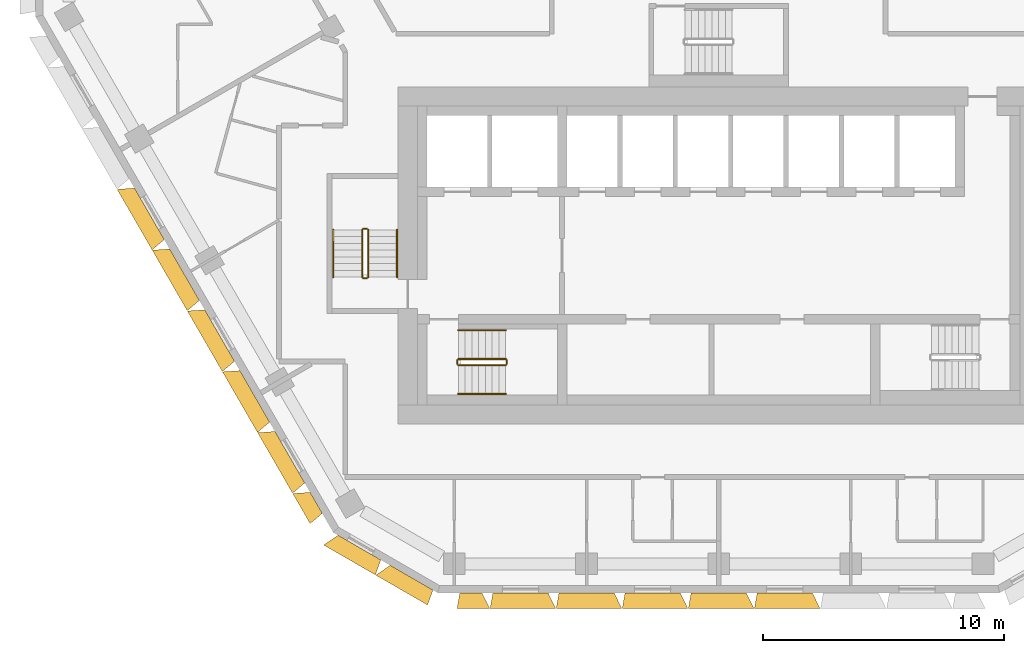
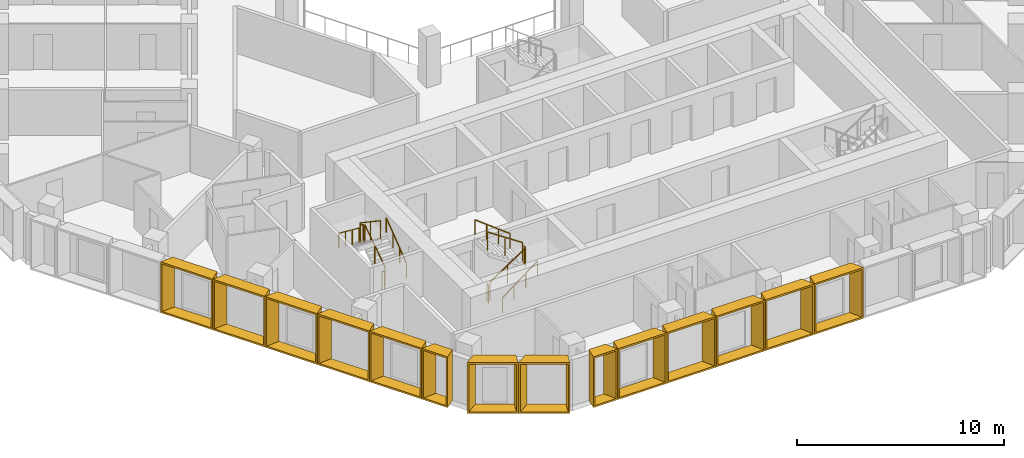
# One storey, part 12 of 15: 14 shading devices, 12 railings.
"""IFC4 building model written with IfcOpenShell, lengths in metres."""

from ifc_helpers import new_model, entity, si_unit, direction, frame, origin, origin_2d, place, context, subcontext, project, spatial, rectangle, extrude, source, transform, mapped, material, type_object, type_shapes, element, save


model = new_model("IFC4")

# Units and contexts
model_context = context("Model", 3, precision=1e-05, world=origin(), true_north=direction((0.0, 1.0)))
body_context = subcontext(model_context, "Body", "Model", "MODEL_VIEW")
ifc_project = project(units=[si_unit("LENGTHUNIT", "METRE"), si_unit("AREAUNIT", "SQUARE_METRE"), si_unit("VOLUMEUNIT", "CUBIC_METRE"), si_unit("PLANEANGLEUNIT", "RADIAN"), si_unit("MASSUNIT", "GRAM", prefix="KILO")], contexts=[model_context])

# Site, building, storey
site_placement = place(None, origin())
site = spatial("IfcSite", under=ifc_project, at=site_placement, CompositionType="ELEMENT")
building_placement = place(site_placement, origin())
building = spatial("IfcBuilding", under=site, at=building_placement, Name="Beryl Residences", CompositionType="ELEMENT")
storey_placement = place(building_placement, frame((0.0, 0.0, 117.60009765625)))
storey = spatial("IfcBuildingStorey", under=building, at=storey_placement, Name="L35", CompositionType="ELEMENT", Elevation=117.60009765625)

# Shading devices
ifc_material_1 = material(Name="Aluminium pale anodised", Category="aluminium")
shading_device_type_1 = type_object("IfcShadingDeviceType", Name="FR137-65C OUTER SKIN frame 650 mm deep, splay 10/26 deg, 1370 x 3000 mm cell", PredefinedType="USERDEFINED", material=ifc_material_1)
cartesian_point_1 = entity("IfcCartesianPoint", [-0.458984375, 0.0])
cartesian_point_2 = entity("IfcCartesianPoint", [-0.377685546875, 0.10009765625])
cartesian_point_3 = entity("IfcCartesianPoint", [-0.57373046875, 0.0])
cartesian_point_4 = entity("IfcCartesianPoint", [-0.492431640625, 0.10009765625])
shared_shape_1 = source(origin(), body_context, "Body", "SweptSolid", [
    entity("IfcExtrudedAreaSolidTapered", entity("IfcArbitraryProfileDefWithVoids", "AREA", None, entity("IfcPolyline", [cartesian_point_1, entity("IfcCartesianPoint", [0.458984375, 0.0]), entity("IfcCartesianPoint", [0.458984375, 3.0]), entity("IfcCartesianPoint", [-0.458984375, 3.0]), cartesian_point_1]), [entity("IfcPolyline", [cartesian_point_2, entity("IfcCartesianPoint", [0.369873046875, 0.10009765625]), entity("IfcCartesianPoint", [0.369873046875, 2.89990234375]), entity("IfcCartesianPoint", [-0.377685546875, 2.89990234375]), cartesian_point_2])]), entity("IfcAxis2Placement3D", entity("IfcCartesianPoint", [0.0, 0.0, 0.0]), entity("IfcDirection", [0.0, 1.0, 0.0]), entity("IfcDirection", [-1.0, 0.0, 0.0])), entity("IfcDirection", [0.0, 0.0, 1.0]), 0.64990234375, entity("IfcArbitraryProfileDefWithVoids", "AREA", None, entity("IfcPolyline", [cartesian_point_3, entity("IfcCartesianPoint", [0.776123046875, 0.0]), entity("IfcCartesianPoint", [0.776123046875, 3.0]), entity("IfcCartesianPoint", [-0.57373046875, 3.0]), cartesian_point_3]), [entity("IfcPolyline", [cartesian_point_4, entity("IfcCartesianPoint", [0.68701171875, 0.10009765625]), entity("IfcCartesianPoint", [0.68701171875, 2.89990234375]), entity("IfcCartesianPoint", [-0.492431640625, 2.89990234375]), cartesian_point_4])])),
])
type_shapes(shading_device_type_1, [shared_shape_1])
shading_device_1_placement = place(storey_placement, frame((-10.282958984375, -26.0, 0.0), z_axis=(0.0, 0.0, 1.0), x_axis=(-1.0, 0.0, 0.0)))
element("IfcShadingDevice", 1, at=shading_device_1_placement, inside=storey, type_object=shading_device_type_1, Name="FR137-65C frame L35 S 1", ObjectType="OUTER SKIN", PredefinedType="USERDEFINED", context=body_context, shape_type="MappedRepresentation", body=[
    mapped(shared_shape_1, transform((0.0, 0.0, 0.0))),
])
ifc_material_2 = material(Name="Aluminium pale anodised", Category="aluminium")
shading_device_type_2 = type_object("IfcShadingDeviceType", Name="FR146-65B OUTER SKIN frame 650 mm deep, splay 26/10 deg, 1460 x 3000 mm cell", PredefinedType="USERDEFINED", material=ifc_material_2)
cartesian_point_5 = entity("IfcCartesianPoint", [-0.50390625, 0.0])
cartesian_point_6 = entity("IfcCartesianPoint", [-0.4150390625, 0.10009765625])
cartesian_point_7 = entity("IfcCartesianPoint", [-0.821044921875, 0.0])
cartesian_point_8 = entity("IfcCartesianPoint", [-0.73193359375, 0.10009765625])
shared_shape_2 = source(origin(), body_context, "Body", "SweptSolid", [
    entity("IfcExtrudedAreaSolidTapered", entity("IfcArbitraryProfileDefWithVoids", "AREA", None, entity("IfcPolyline", [cartesian_point_5, entity("IfcCartesianPoint", [0.50390625, 0.0]), entity("IfcCartesianPoint", [0.50390625, 3.0]), entity("IfcCartesianPoint", [-0.50390625, 3.0]), cartesian_point_5]), [entity("IfcPolyline", [cartesian_point_6, entity("IfcCartesianPoint", [0.4228515625, 0.10009765625]), entity("IfcCartesianPoint", [0.4228515625, 2.89990234375]), entity("IfcCartesianPoint", [-0.4150390625, 2.89990234375]), cartesian_point_6])]), entity("IfcAxis2Placement3D", entity("IfcCartesianPoint", [0.0, 0.0, 0.0]), entity("IfcDirection", [0.0, 1.0, 0.0]), entity("IfcDirection", [-1.0, 0.0, 0.0])), entity("IfcDirection", [0.0, 0.0, 1.0]), 0.64990234375, entity("IfcArbitraryProfileDefWithVoids", "AREA", None, entity("IfcPolyline", [cartesian_point_7, entity("IfcCartesianPoint", [0.61865234375, 0.0]), entity("IfcCartesianPoint", [0.61865234375, 3.0]), entity("IfcCartesianPoint", [-0.821044921875, 3.0]), cartesian_point_7]), [entity("IfcPolyline", [cartesian_point_8, entity("IfcCartesianPoint", [0.537353515625, 0.10009765625]), entity("IfcCartesianPoint", [0.537353515625, 2.89990234375]), entity("IfcCartesianPoint", [-0.73193359375, 2.89990234375]), cartesian_point_8])])),
])
type_shapes(shading_device_type_2, [shared_shape_2])
shading_device_2_placement = place(storey_placement, frame((-16.7041015625, -22.26806640625, 0.0), z_axis=(0.0, 0.0, 1.0), x_axis=(-0.5, 0.866025403784, 0.0)))
element("IfcShadingDevice", 2, at=shading_device_2_placement, inside=storey, type_object=shading_device_type_2, Name="FR146-65B frame L35 SW 9", ObjectType="OUTER SKIN", PredefinedType="USERDEFINED", context=body_context, shape_type="MappedRepresentation", body=[
    mapped(shared_shape_2, transform((0.0, 0.0, 0.0))),
])
ifc_material_3 = material(Name="Aluminium pale anodised", Category="aluminium")
shading_device_type_3 = type_object("IfcShadingDeviceType", Name="FR250-65B OUTER SKIN frame 650 mm deep, splay 26/10 deg, 2500 x 3000 mm cell", PredefinedType="USERDEFINED", material=ifc_material_3)
cartesian_point_9 = entity("IfcCartesianPoint", [-1.02392578125, 0.0])
cartesian_point_10 = entity("IfcCartesianPoint", [-0.93505859375, 0.10009765625])
cartesian_point_11 = entity("IfcCartesianPoint", [-1.341064453125, 0.0])
cartesian_point_12 = entity("IfcCartesianPoint", [-1.251953125, 0.10009765625])
shared_shape_3 = source(origin(), body_context, "Body", "SweptSolid", [
    entity("IfcExtrudedAreaSolidTapered", entity("IfcArbitraryProfileDefWithVoids", "AREA", None, entity("IfcPolyline", [cartesian_point_9, entity("IfcCartesianPoint", [1.02392578125, 0.0]), entity("IfcCartesianPoint", [1.02392578125, 3.0]), entity("IfcCartesianPoint", [-1.02392578125, 3.0]), cartesian_point_9]), [entity("IfcPolyline", [cartesian_point_10, entity("IfcCartesianPoint", [0.94287109375, 0.10009765625]), entity("IfcCartesianPoint", [0.94287109375, 2.89990234375]), entity("IfcCartesianPoint", [-0.93505859375, 2.89990234375]), cartesian_point_10])]), entity("IfcAxis2Placement3D", entity("IfcCartesianPoint", [0.0, 0.0, 0.0]), entity("IfcDirection", [0.0, 1.0, 0.0]), entity("IfcDirection", [-1.0, 0.0, 0.0])), entity("IfcDirection", [0.0, 0.0, 1.0]), 0.64990234375, entity("IfcArbitraryProfileDefWithVoids", "AREA", None, entity("IfcPolyline", [cartesian_point_11, entity("IfcCartesianPoint", [1.138671875, 0.0]), entity("IfcCartesianPoint", [1.138671875, 3.0]), entity("IfcCartesianPoint", [-1.341064453125, 3.0]), cartesian_point_11]), [entity("IfcPolyline", [cartesian_point_12, entity("IfcCartesianPoint", [1.057373046875, 0.10009765625]), entity("IfcCartesianPoint", [1.057373046875, 2.89990234375]), entity("IfcCartesianPoint", [-1.251953125, 2.89990234375]), cartesian_point_12])])),
])
type_shapes(shading_device_type_3, [shared_shape_3])
for number, where, z_axis, x_axis, name in (
    (3, (-14.909912109375, -24.125, 0.0), (0.0, 0.0, 1.0), (-0.866025403784, 0.5, 0.0), "FR250-65B frame L35 SW-S 1"),
    (4, (-12.7451171875, -25.375, 0.0), (0.0, 0.0, 1.0), (-0.866025403784, 0.5, 0.0), "FR250-65B frame L35 SW-S 2"),
):
    element("IfcShadingDevice", number, at=place(storey_placement, frame(where, z_axis=z_axis, x_axis=x_axis)), inside=storey, type_object=shading_device_type_3, Name=name, ObjectType="OUTER SKIN", PredefinedType="USERDEFINED", context=body_context, shape_type="MappedRepresentation", body=[
        mapped(shared_shape_3, transform((0.0, 0.0, 0.0))),
    ])
ifc_material_4 = material(Name="Aluminium pale anodised", Category="aluminium")
shading_device_type_4 = type_object("IfcShadingDeviceType", Name="FR274-65C OUTER SKIN frame 650 mm deep, splay 10/26 deg, 2740 x 3000 mm cell", PredefinedType="USERDEFINED", material=ifc_material_4)
cartesian_point_13 = entity("IfcCartesianPoint", [-1.14404296875, 0.0])
cartesian_point_14 = entity("IfcCartesianPoint", [-1.062744140625, 0.10009765625])
cartesian_point_15 = entity("IfcCartesianPoint", [-1.258544921875, 0.0])
cartesian_point_16 = entity("IfcCartesianPoint", [-1.177490234375, 0.10009765625])
shared_shape_4 = source(origin(), body_context, "Body", "SweptSolid", [
    entity("IfcExtrudedAreaSolidTapered", entity("IfcArbitraryProfileDefWithVoids", "AREA", None, entity("IfcPolyline", [cartesian_point_13, entity("IfcCartesianPoint", [1.14404296875, 0.0]), entity("IfcCartesianPoint", [1.14404296875, 3.0]), entity("IfcCartesianPoint", [-1.14404296875, 3.0]), cartesian_point_13]), [entity("IfcPolyline", [cartesian_point_14, entity("IfcCartesianPoint", [1.054931640625, 0.10009765625]), entity("IfcCartesianPoint", [1.054931640625, 2.89990234375]), entity("IfcCartesianPoint", [-1.062744140625, 2.89990234375]), cartesian_point_14])]), entity("IfcAxis2Placement3D", entity("IfcCartesianPoint", [0.0, 0.0, 0.0]), entity("IfcDirection", [0.0, 1.0, 0.0]), entity("IfcDirection", [-1.0, 0.0, 0.0])), entity("IfcDirection", [0.0, 0.0, 1.0]), 0.64990234375, entity("IfcArbitraryProfileDefWithVoids", "AREA", None, entity("IfcPolyline", [cartesian_point_15, entity("IfcCartesianPoint", [1.4609375, 0.0]), entity("IfcCartesianPoint", [1.4609375, 3.0]), entity("IfcCartesianPoint", [-1.258544921875, 3.0]), cartesian_point_15]), [entity("IfcPolyline", [cartesian_point_16, entity("IfcCartesianPoint", [1.3720703125, 0.10009765625]), entity("IfcCartesianPoint", [1.3720703125, 2.89990234375]), entity("IfcCartesianPoint", [-1.177490234375, 2.89990234375]), cartesian_point_16])])),
])
type_shapes(shading_device_type_4, [shared_shape_4])
for number, where, z_axis, x_axis, name in (
    (5, (-8.22607421875, -26.0, 0.0), (0.0, 0.0, 1.0), (-1.0, 0.0, 0.0), "FR274-65C frame L35 S 2"),
    (6, (-5.48388671875, -26.0, 0.0), (0.0, 0.0, 1.0), (-1.0, 0.0, 0.0), "FR274-65C frame L35 S 3"),
    (7, (-2.741943359375, -26.0, 0.0), (0.0, 0.0, 1.0), (-1.0, 0.0, 0.0), "FR274-65C frame L35 S 4"),
    (8, (0.0009765625, -26.0, 0.0), (0.0, 0.0, 1.0), (-1.0, 0.0, 0.0), "FR274-65C frame L35 S 5"),
    (9, (2.743896484375, -26.0, 0.0), (0.0, 0.0, 1.0), (-1.0, 0.0, 0.0), "FR274-65C frame L35 S 6"),
):
    element("IfcShadingDevice", number, at=place(storey_placement, frame(where, z_axis=z_axis, x_axis=x_axis)), inside=storey, type_object=shading_device_type_4, Name=name, ObjectType="OUTER SKIN", PredefinedType="USERDEFINED", context=body_context, shape_type="MappedRepresentation", body=[
        mapped(shared_shape_4, transform((0.0, 0.0, 0.0))),
    ])
ifc_material_5 = material(Name="Aluminium pale anodised", Category="aluminium")
shading_device_type_5 = type_object("IfcShadingDeviceType", Name="FR292-65B OUTER SKIN frame 650 mm deep, splay 26/10 deg, 2920 x 3000 mm cell", PredefinedType="USERDEFINED", material=ifc_material_5)
cartesian_point_17 = entity("IfcCartesianPoint", [-1.23388671875, 0.0])
cartesian_point_18 = entity("IfcCartesianPoint", [-1.14501953125, 0.10009765625])
cartesian_point_19 = entity("IfcCartesianPoint", [-1.551025390625, 0.0])
cartesian_point_20 = entity("IfcCartesianPoint", [-1.4619140625, 0.10009765625])
shared_shape_5 = source(origin(), body_context, "Body", "SweptSolid", [
    entity("IfcExtrudedAreaSolidTapered", entity("IfcArbitraryProfileDefWithVoids", "AREA", None, entity("IfcPolyline", [cartesian_point_17, entity("IfcCartesianPoint", [1.23388671875, 0.0]), entity("IfcCartesianPoint", [1.23388671875, 3.0]), entity("IfcCartesianPoint", [-1.23388671875, 3.0]), cartesian_point_17]), [entity("IfcPolyline", [cartesian_point_18, entity("IfcCartesianPoint", [1.15283203125, 0.10009765625]), entity("IfcCartesianPoint", [1.15283203125, 2.89990234375]), entity("IfcCartesianPoint", [-1.14501953125, 2.89990234375]), cartesian_point_18])]), entity("IfcAxis2Placement3D", entity("IfcCartesianPoint", [0.0, 0.0, 0.0]), entity("IfcDirection", [0.0, 1.0, 0.0]), entity("IfcDirection", [-1.0, 0.0, 0.0])), entity("IfcDirection", [0.0, 0.0, 1.0]), 0.64990234375, entity("IfcArbitraryProfileDefWithVoids", "AREA", None, entity("IfcPolyline", [cartesian_point_19, entity("IfcCartesianPoint", [1.3486328125, 0.0]), entity("IfcCartesianPoint", [1.3486328125, 3.0]), entity("IfcCartesianPoint", [-1.551025390625, 3.0]), cartesian_point_19]), [entity("IfcPolyline", [cartesian_point_20, entity("IfcCartesianPoint", [1.267333984375, 0.10009765625]), entity("IfcCartesianPoint", [1.267333984375, 2.89990234375]), entity("IfcCartesianPoint", [-1.4619140625, 2.89990234375]), cartesian_point_20])])),
])
type_shapes(shading_device_type_5, [shared_shape_5])
for number, where, z_axis, x_axis, name in (
    (10, (-23.6279296875, -10.27392578125, 0.0), (0.0, 0.0, 1.0), (-0.5, 0.866025403784, 0.0), "FR292-65B frame L35 SW 4"),
    (11, (-22.169921875, -12.799072265625, 0.0), (0.0, 0.0, 1.0), (-0.5, 0.866025403784, 0.0), "FR292-65B frame L35 SW 5"),
    (12, (-20.712890625, -15.323974609375, 0.0), (0.0, 0.0, 1.0), (-0.5, 0.866025403784, 0.0), "FR292-65B frame L35 SW 6"),
    (13, (-19.2548828125, -17.84912109375, 0.0), (0.0, 0.0, 1.0), (-0.5, 0.866025403784, 0.0), "FR292-65B frame L35 SW 7"),
    (14, (-17.797119140625, -20.3740234375, 0.0), (0.0, 0.0, 1.0), (-0.5, 0.866025403784, 0.0), "FR292-65B frame L35 SW 8"),
):
    element("IfcShadingDevice", number, at=place(storey_placement, frame(where, z_axis=z_axis, x_axis=x_axis)), inside=storey, type_object=shading_device_type_5, Name=name, ObjectType="OUTER SKIN", PredefinedType="USERDEFINED", context=body_context, shape_type="MappedRepresentation", body=[
        mapped(shared_shape_5, transform((0.0, 0.0, 0.0))),
    ])

# Railings
ifc_material_6 = material(Name="Stainless steel balustrade with glass infill", Category="steel")
railing_type_1 = type_object("IfcRailingType", Name="SG1 stair guard 1100 mm", PredefinedType="GUARDRAIL", material=ifc_material_6)
railing_1_placement = place(storey_placement, frame((-10.800048828125, -16.550048828125, 0.1875)))
element("IfcRailing", 15, at=railing_1_placement, inside=storey, type_object=railing_type_1, Name="L35 ST-1 stair guard 1", PredefinedType="GUARDRAIL", context=body_context, shape_type="SweptSolid", body=[
    extrude(rectangle(XDim=0.048095703125, YDim=0.048095703125, at=origin_2d()), frame((0.0, 0.0, 1.076171875), z_axis=(0.830902050051, 0.0, 0.556418712142), x_axis=(0.0, 1.0, 0.0)), (0.0, 0.0, 1.0), 2.35888671875),
    extrude(rectangle(XDim=0.0419921875, YDim=0.0419921875, at=origin_2d()), origin(), (0.0, 0.0, 1.0), 1.052001953125),
    extrude(rectangle(XDim=0.0419921875, YDim=0.0419921875, at=origin_2d()), frame((0.97998046875, 0.0, 0.65625)), (0.0, 0.0, 1.0), 1.052001953125),
    extrude(rectangle(XDim=0.0419921875, YDim=0.0419921875, at=origin_2d()), frame((1.9599609375, 0.0, 1.3125)), (0.0, 0.0, 1.0), 1.052001953125),
])
railing_2_placement = place(storey_placement, frame((-8.7900390625, -16.5, 1.5)))
element("IfcRailing", 16, at=railing_2_placement, inside=storey, type_object=railing_type_1, Name="L35 ST-1 stair guard 2", PredefinedType="GUARDRAIL", context=body_context, shape_type="SweptSolid", body=[
    extrude(rectangle(XDim=0.048095703125, YDim=0.048095703125, at=origin_2d()), frame((0.0, 0.0, 1.076171875), z_axis=(0.0, 1.0, 0.0), x_axis=(-1.0, 0.0, 0.0)), (0.0, 0.0, 1.0), 0.14990234375),
    extrude(rectangle(XDim=0.0419921875, YDim=0.0419921875, at=origin_2d()), origin(), (0.0, 0.0, 1.0), 1.052001953125),
    extrude(rectangle(XDim=0.0419921875, YDim=0.0419921875, at=origin_2d()), frame((0.0, 0.14990234375, 0.0)), (0.0, 0.0, 1.0), 1.052001953125),
])
railing_3_placement = place(storey_placement, frame((-8.840087890625, -16.300048828125, 1.6875)))
element("IfcRailing", 17, at=railing_3_placement, inside=storey, type_object=railing_type_1, Name="L35 ST-1 stair guard 3", PredefinedType="GUARDRAIL", context=body_context, shape_type="SweptSolid", body=[
    extrude(rectangle(XDim=0.048095703125, YDim=0.048095703125, at=origin_2d()), frame((0.0, 0.0, 1.076171875), z_axis=(-0.830902050051, 0.0, 0.556418712142), x_axis=(0.0, -1.0, 0.0)), (0.0, 0.0, 1.0), 2.35888671875),
    extrude(rectangle(XDim=0.0419921875, YDim=0.0419921875, at=origin_2d()), origin(), (0.0, 0.0, 1.0), 1.052001953125),
    extrude(rectangle(XDim=0.0419921875, YDim=0.0419921875, at=origin_2d()), frame((-0.97998046875, 0.0, 0.65625)), (0.0, 0.0, 1.0), 1.052001953125),
    extrude(rectangle(XDim=0.0419921875, YDim=0.0419921875, at=origin_2d()), frame((-1.9599609375, 0.0, 1.3125)), (0.0, 0.0, 1.0), 1.052001953125),
])
railing_4_placement = place(storey_placement, frame((-10.85009765625, -16.5, 0.0)))
element("IfcRailing", 18, at=railing_4_placement, inside=storey, type_object=railing_type_1, Name="L35 ST-1 stair guard 4", PredefinedType="GUARDRAIL", context=body_context, shape_type="SweptSolid", body=[
    extrude(rectangle(XDim=0.048095703125, YDim=0.048095703125, at=origin_2d()), frame((0.0, 0.0, 1.076171875), z_axis=(0.0, 1.0, 0.0), x_axis=(-1.0, 0.0, 0.0)), (0.0, 0.0, 1.0), 0.14990234375),
    extrude(rectangle(XDim=0.0419921875, YDim=0.0419921875, at=origin_2d()), origin(), (0.0, 0.0, 1.0), 1.052001953125),
    extrude(rectangle(XDim=0.0419921875, YDim=0.0419921875, at=origin_2d()), frame((0.0, 0.14990234375, 0.0)), (0.0, 0.0, 1.0), 1.052001953125),
])
railing_5_placement = place(storey_placement, frame((-14.550048828125, -12.89990234375, 0.1875)))
element("IfcRailing", 19, at=railing_5_placement, inside=storey, type_object=railing_type_1, Name="L35 ST-2 stair guard 1", PredefinedType="GUARDRAIL", context=body_context, shape_type="SweptSolid", body=[
    extrude(rectangle(XDim=0.048095703125, YDim=0.048095703125, at=origin_2d()), frame((0.0, 0.0, 1.076171875), z_axis=(0.0, 0.830902050051, 0.556418712142), x_axis=(-1.0, 0.0, 0.0)), (0.0, 0.0, 1.0), 2.35888671875),
    extrude(rectangle(XDim=0.0419921875, YDim=0.0419921875, at=origin_2d()), origin(), (0.0, 0.0, 1.0), 1.052001953125),
    extrude(rectangle(XDim=0.0419921875, YDim=0.0419921875, at=origin_2d()), frame((0.0, 0.97998046875, 0.65625)), (0.0, 0.0, 1.0), 1.052001953125),
    extrude(rectangle(XDim=0.0419921875, YDim=0.0419921875, at=origin_2d()), frame((0.0, 1.9599609375, 1.3125)), (0.0, 0.0, 1.0), 1.052001953125),
])
railing_6_placement = place(storey_placement, frame((-14.60009765625, -10.889892578125, 1.5)))
element("IfcRailing", 20, at=railing_6_placement, inside=storey, type_object=railing_type_1, Name="L35 ST-2 stair guard 2", PredefinedType="GUARDRAIL", context=body_context, shape_type="SweptSolid", body=[
    extrude(rectangle(XDim=0.048095703125, YDim=0.048095703125, at=origin_2d()), frame((0.0, 0.0, 1.076171875), z_axis=(-1.0, 0.0, 0.0), x_axis=(0.0, -1.0, 0.0)), (0.0, 0.0, 1.0), 0.14990234375),
    extrude(rectangle(XDim=0.0419921875, YDim=0.0419921875, at=origin_2d()), origin(), (0.0, 0.0, 1.0), 1.052001953125),
    extrude(rectangle(XDim=0.0419921875, YDim=0.0419921875, at=origin_2d()), frame((-0.14990234375, 0.0, 0.0)), (0.0, 0.0, 1.0), 1.052001953125),
])
railing_7_placement = place(storey_placement, frame((-14.800048828125, -10.93994140625, 1.6875)))
element("IfcRailing", 21, at=railing_7_placement, inside=storey, type_object=railing_type_1, Name="L35 ST-2 stair guard 3", PredefinedType="GUARDRAIL", context=body_context, shape_type="SweptSolid", body=[
    extrude(rectangle(XDim=0.048095703125, YDim=0.048095703125, at=origin_2d()), frame((0.0, 0.0, 1.076171875), z_axis=(0.0, -0.830902050051, 0.556418712142), x_axis=(1.0, 0.0, 0.0)), (0.0, 0.0, 1.0), 2.35888671875),
    extrude(rectangle(XDim=0.0419921875, YDim=0.0419921875, at=origin_2d()), origin(), (0.0, 0.0, 1.0), 1.052001953125),
    extrude(rectangle(XDim=0.0419921875, YDim=0.0419921875, at=origin_2d()), frame((0.0, -0.97998046875, 0.65625)), (0.0, 0.0, 1.0), 1.052001953125),
    extrude(rectangle(XDim=0.0419921875, YDim=0.0419921875, at=origin_2d()), frame((0.0, -1.9599609375, 1.3125)), (0.0, 0.0, 1.0), 1.052001953125),
])
railing_8_placement = place(storey_placement, frame((-14.60009765625, -12.949951171875, 0.0)))
element("IfcRailing", 22, at=railing_8_placement, inside=storey, type_object=railing_type_1, Name="L35 ST-2 stair guard 4", PredefinedType="GUARDRAIL", context=body_context, shape_type="SweptSolid", body=[
    extrude(rectangle(XDim=0.048095703125, YDim=0.048095703125, at=origin_2d()), frame((0.0, 0.0, 1.076171875), z_axis=(-1.0, 0.0, 0.0), x_axis=(0.0, -1.0, 0.0)), (0.0, 0.0, 1.0), 0.14990234375),
    extrude(rectangle(XDim=0.0419921875, YDim=0.0419921875, at=origin_2d()), origin(), (0.0, 0.0, 1.0), 1.052001953125),
    extrude(rectangle(XDim=0.0419921875, YDim=0.0419921875, at=origin_2d()), frame((-0.14990234375, 0.0, 0.0)), (0.0, 0.0, 1.0), 1.052001953125),
])
ifc_material_7 = material(Name="Stainless steel handrail", Category="steel")
railing_type_2 = type_object("IfcRailingType", Name="SRL1 stair handrail 900 mm", PredefinedType="HANDRAIL", material=ifc_material_7)
railing_9_placement = place(storey_placement, frame((-10.800048828125, -17.75, 0.1875)))
element("IfcRailing", 23, at=railing_9_placement, inside=storey, type_object=railing_type_2, Name="L35 ST-1 stair handrail 1", PredefinedType="HANDRAIL", context=body_context, shape_type="SweptSolid", body=[
    extrude(rectangle(XDim=0.048095703125, YDim=0.048095703125, at=origin_2d()), frame((0.0, 0.0, 0.8759765625), z_axis=(0.794121922505, 0.0, 0.607758481798), x_axis=(0.0, 1.0, 0.0)), (0.0, 0.0, 1.0), 2.468017578125),
    extrude(rectangle(XDim=0.0419921875, YDim=0.0419921875, at=origin_2d()), origin(), (0.0, 0.0, 1.0), 0.851806640625),
    extrude(rectangle(XDim=0.0419921875, YDim=0.0419921875, at=origin_2d()), frame((0.6533203125, 0.0, 0.5)), (0.0, 0.0, 1.0), 0.851806640625),
    extrude(rectangle(XDim=0.0419921875, YDim=0.0419921875, at=origin_2d()), frame((1.306640625, 0.0, 1.0)), (0.0, 0.0, 1.0), 0.851806640625),
    extrude(rectangle(XDim=0.0419921875, YDim=0.0419921875, at=origin_2d()), frame((1.9599609375, 0.0, 1.5)), (0.0, 0.0, 1.0), 0.851806640625),
])
railing_10_placement = place(storey_placement, frame((-8.840087890625, -15.10009765625, 1.6875)))
element("IfcRailing", 24, at=railing_10_placement, inside=storey, type_object=railing_type_2, Name="L35 ST-1 stair handrail 2", PredefinedType="HANDRAIL", context=body_context, shape_type="SweptSolid", body=[
    extrude(rectangle(XDim=0.048095703125, YDim=0.048095703125, at=origin_2d()), frame((0.0, 0.0, 0.8759765625), z_axis=(-0.794121922505, 0.0, 0.607758481798), x_axis=(0.0, -1.0, 0.0)), (0.0, 0.0, 1.0), 2.468017578125),
    extrude(rectangle(XDim=0.0419921875, YDim=0.0419921875, at=origin_2d()), origin(), (0.0, 0.0, 1.0), 0.851806640625),
    extrude(rectangle(XDim=0.0419921875, YDim=0.0419921875, at=origin_2d()), frame((-0.6533203125, 0.0, 0.5)), (0.0, 0.0, 1.0), 0.851806640625),
    extrude(rectangle(XDim=0.0419921875, YDim=0.0419921875, at=origin_2d()), frame((-1.306640625, 0.0, 1.0)), (0.0, 0.0, 1.0), 0.851806640625),
    extrude(rectangle(XDim=0.0419921875, YDim=0.0419921875, at=origin_2d()), frame((-1.9599609375, 0.0, 1.5)), (0.0, 0.0, 1.0), 0.851806640625),
])
railing_11_placement = place(storey_placement, frame((-13.35009765625, -12.89990234375, 0.1875)))
element("IfcRailing", 25, at=railing_11_placement, inside=storey, type_object=railing_type_2, Name="L35 ST-2 stair handrail 1", PredefinedType="HANDRAIL", context=body_context, shape_type="SweptSolid", body=[
    extrude(rectangle(XDim=0.048095703125, YDim=0.048095703125, at=origin_2d()), frame((0.0, 0.0, 0.8759765625), z_axis=(0.0, 0.794121922505, 0.607758481798), x_axis=(-1.0, 0.0, 0.0)), (0.0, 0.0, 1.0), 2.468017578125),
    extrude(rectangle(XDim=0.0419921875, YDim=0.0419921875, at=origin_2d()), origin(), (0.0, 0.0, 1.0), 0.851806640625),
    extrude(rectangle(XDim=0.0419921875, YDim=0.0419921875, at=origin_2d()), frame((0.0, 0.6533203125, 0.5)), (0.0, 0.0, 1.0), 0.851806640625),
    extrude(rectangle(XDim=0.0419921875, YDim=0.0419921875, at=origin_2d()), frame((0.0, 1.306640625, 1.0)), (0.0, 0.0, 1.0), 0.851806640625),
    extrude(rectangle(XDim=0.0419921875, YDim=0.0419921875, at=origin_2d()), frame((0.0, 1.9599609375, 1.5)), (0.0, 0.0, 1.0), 0.851806640625),
])
railing_12_placement = place(storey_placement, frame((-16.0, -10.93994140625, 1.6875)))
element("IfcRailing", 26, at=railing_12_placement, inside=storey, type_object=railing_type_2, Name="L35 ST-2 stair handrail 2", PredefinedType="HANDRAIL", context=body_context, shape_type="SweptSolid", body=[
    extrude(rectangle(XDim=0.048095703125, YDim=0.048095703125, at=origin_2d()), frame((0.0, 0.0, 0.8759765625), z_axis=(0.0, -0.794121922505, 0.607758481798), x_axis=(1.0, 0.0, 0.0)), (0.0, 0.0, 1.0), 2.468017578125),
    extrude(rectangle(XDim=0.0419921875, YDim=0.0419921875, at=origin_2d()), origin(), (0.0, 0.0, 1.0), 0.851806640625),
    extrude(rectangle(XDim=0.0419921875, YDim=0.0419921875, at=origin_2d()), frame((0.0, -0.6533203125, 0.5)), (0.0, 0.0, 1.0), 0.851806640625),
    extrude(rectangle(XDim=0.0419921875, YDim=0.0419921875, at=origin_2d()), frame((0.0, -1.306640625, 1.0)), (0.0, 0.0, 1.0), 0.851806640625),
    extrude(rectangle(XDim=0.0419921875, YDim=0.0419921875, at=origin_2d()), frame((0.0, -1.9599609375, 1.5)), (0.0, 0.0, 1.0), 0.851806640625),
])

save(model, "model.ifc")
